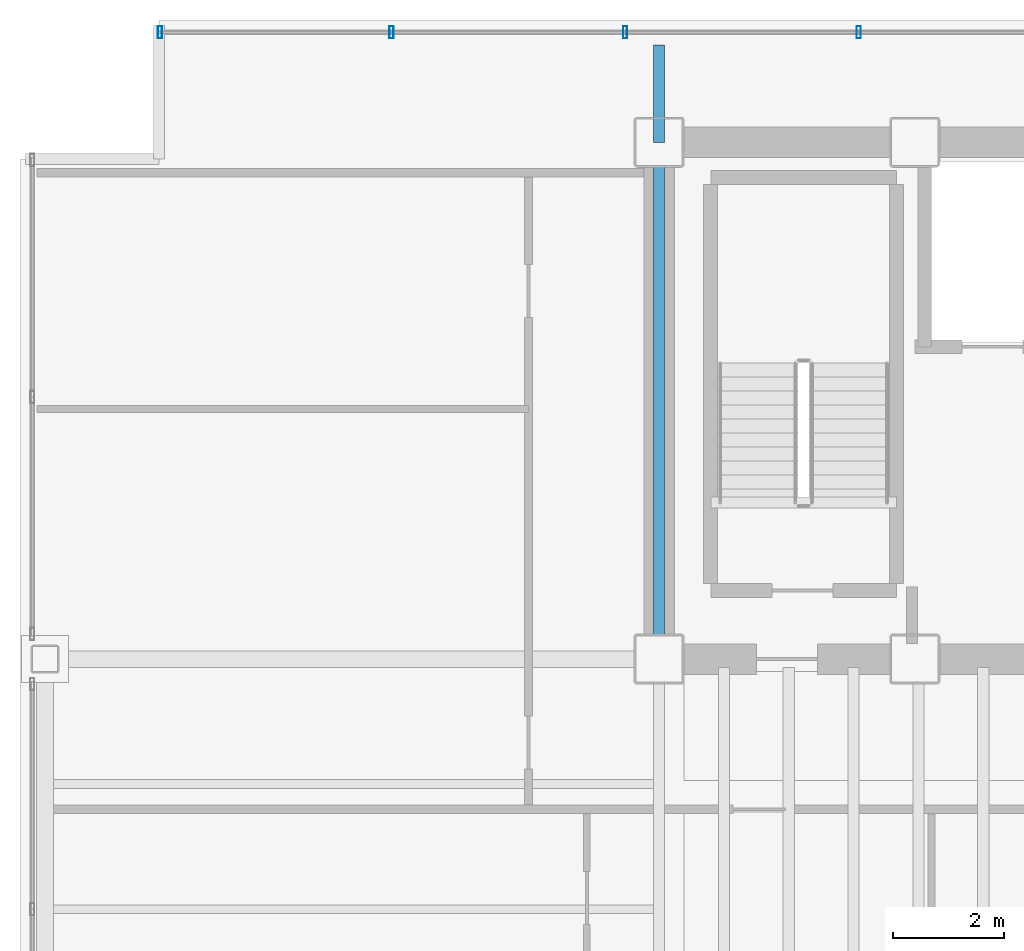
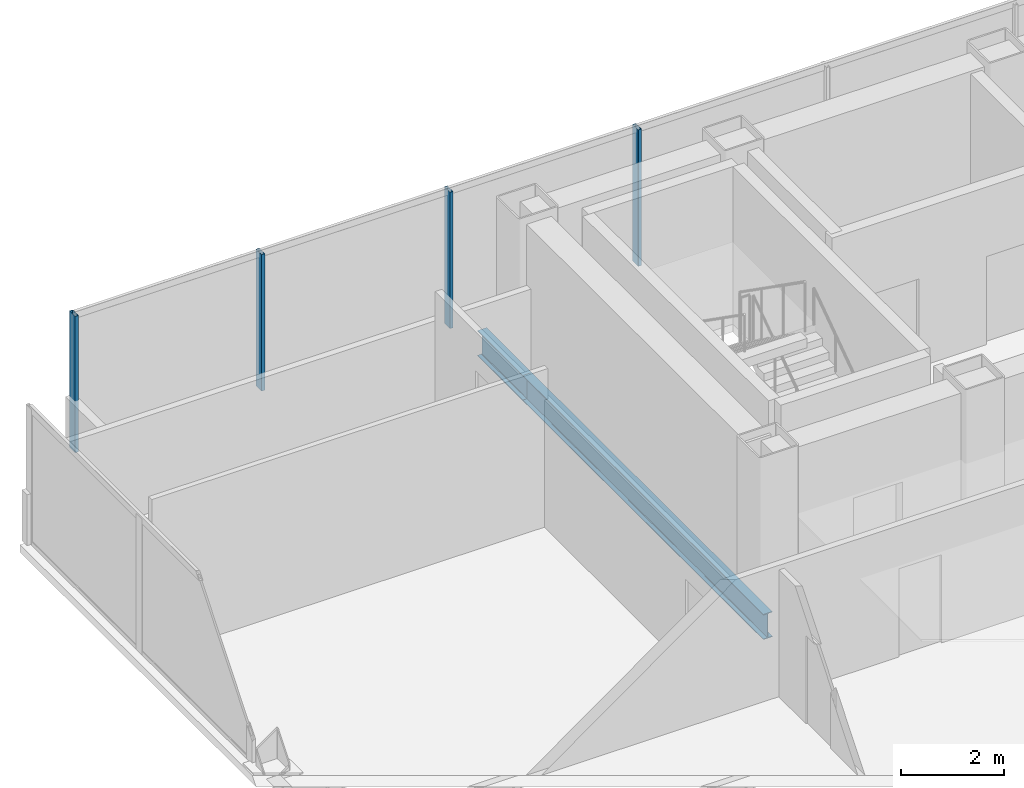
# One storey, part 9 of 22: 4 members, 2 beams, 1 element without a shape of its own.
"""IFC4 building model written with IfcOpenShell, lengths in metres."""

import ifcopenshell
import ifcopenshell.guid

model = None  # the IFC model being written
_history = None  # IfcOwnerHistory: only IFC2X3 demands one
_inside = {}  # id of a spatial element -> (the spatial element, [elements in it])
_under = {}  # id of a project, library or spatial element -> (it, [spatial elements below it])
_declared = {}  # id of a project -> (the project, [libraries it declares])
_typed = {}  # id of a type object -> (the type object, [elements of that type])
_made_of = {}  # id of a material, layer set ... -> (it, [elements and type objects made of it])


def new_model(schema):
    """Start an empty IFC model of exactly this schema.

    Asked for "IFC4X3", IfcOpenShell would pick the latest addendum, in which some entities
    have other attributes; the version numbers below select the first issue.
    IFC2X3 requires an IfcOwnerHistory on every rooted entity: one is made here for all.
    """
    global model, _history
    if schema == "IFC4X3":
        model = ifcopenshell.file(schema_version=(4, 3, 0, 0))
    else:
        model = ifcopenshell.file(schema=schema)
    _inside.clear()
    _under.clear()
    _declared.clear()
    _typed.clear()
    _made_of.clear()
    _history = None
    if model.schema == "IFC2X3":
        org = make("IfcOrganization", Name="unknown")
        user = make(
            "IfcPersonAndOrganization",
            ThePerson=make("IfcPerson", FamilyName="unknown"),
            TheOrganization=org,
        )
        app = make(
            "IfcApplication",
            ApplicationDeveloper=org,
            Version="unknown",
            ApplicationFullName="unknown",
            ApplicationIdentifier="unknown",
        )
        _history = make(
            "IfcOwnerHistory",
            OwningUser=user,
            OwningApplication=app,
            ChangeAction="ADDED",
            CreationDate=0,
        )
    return model


def make(cls, **values):
    """One entity of the class cls with the attributes given. An attribute that is None is left unset."""
    return model.create_entity(
        cls, **{name: value for name, value in values.items() if value is not None}
    )


def rooted(cls, **values):
    """An entity with a GlobalId (a new one), such as an element, a storey or a relation."""
    return make(cls, GlobalId=ifcopenshell.guid.new(), OwnerHistory=_history, **values)


def si_unit(unit_type, name, prefix=None):
    """IfcSIUnit, for example si_unit("LENGTHUNIT", "METRE", prefix="MILLI")."""
    return make("IfcSIUnit", UnitType=unit_type, Prefix=prefix, Name=name)


def assignment(units):
    """IfcUnitAssignment: the units of a project."""
    return None if units is None else make("IfcUnitAssignment", Units=units)


def point(xyz):
    """IfcCartesianPoint."""
    return None if xyz is None else make("IfcCartesianPoint", Coordinates=xyz)


def direction(xyz):
    """IfcDirection."""
    return None if xyz is None else make("IfcDirection", DirectionRatios=xyz)


def frame(location, z_axis=None, x_axis=None):
    """IfcAxis2Placement3D, a coordinate frame: its origin and axes. An axis left out is left unset."""
    return make(
        "IfcAxis2Placement3D",
        Location=point(location),
        Axis=direction(z_axis),
        RefDirection=direction(x_axis),
    )


def frame_2d(location, x_axis=None):
    """IfcAxis2Placement2D, a coordinate frame in the plane: its origin and x axis."""
    return make(
        "IfcAxis2Placement2D", Location=point(location), RefDirection=direction(x_axis)
    )


def origin():
    """The frame at (0, 0, 0) with its axes left unset."""
    return frame((0.0, 0.0, 0.0))


def origin_2d():
    """The frame at (0, 0) in the plane with its x axis left unset."""
    return frame_2d((0.0, 0.0))


def place(relative_to, where):
    """IfcLocalPlacement: puts the frame where relative to a parent placement (None: the world)."""
    return make(
        "IfcLocalPlacement", PlacementRelTo=relative_to, RelativePlacement=where
    )


def context(
    kind, dimensions, precision=None, world=None, true_north=None, identifier=None
):
    """IfcGeometricRepresentationContext, for example the 3D "Model" context."""
    return make(
        "IfcGeometricRepresentationContext",
        ContextIdentifier=identifier,
        ContextType=kind,
        CoordinateSpaceDimension=dimensions,
        Precision=precision,
        WorldCoordinateSystem=world,
        TrueNorth=true_north,
    )


def subcontext(parent, identifier, kind, view, scale=None):
    """IfcGeometricRepresentationSubContext, for example "Body" below "Model"."""
    return make(
        "IfcGeometricRepresentationSubContext",
        ContextIdentifier=identifier,
        ContextType=kind,
        ParentContext=parent,
        TargetScale=scale,
        TargetView=view,
    )


def project(units=None, contexts=None):
    """IfcProject with its units and contexts."""
    return rooted(
        "IfcProject",
        Name="project",
        RepresentationContexts=contexts,
        UnitsInContext=assignment(units),
    )


def spatial(cls, under=None, at=None, **own):
    """A site, building, storey or space (cls), placed at a placement, below another one or the project."""
    s = rooted(cls, ObjectPlacement=at, **own)
    if under is not None:
        _under.setdefault(under.id(), (under, []))[1].append(s)
    return s


def profile(cls, at=None, kind="AREA", **sizes):
    """A parametric profile (cls). Its sizes go by their IFC names, for example OverallWidth=200.0."""
    return make(cls, ProfileType=kind, Position=at, **sizes)


def hollow_rectangle(**sizes):
    """IfcRectangleHollowProfileDef."""
    return profile("IfcRectangleHollowProfileDef", **sizes)


def i_section(**sizes):
    """IfcIShapeProfileDef."""
    return profile("IfcIShapeProfileDef", **sizes)


def extrude(swept, where, along, depth):
    """IfcExtrudedAreaSolid: the profile swept, set in the frame where, extruded along a direction by depth."""
    return make(
        "IfcExtrudedAreaSolid",
        SweptArea=swept,
        Position=where,
        ExtrudedDirection=direction(along),
        Depth=depth,
    )


def shape(context_of_items, identifier, shape_type, items):
    """IfcShapeRepresentation: the items that make up one representation, for example the "Body"."""
    return make(
        "IfcShapeRepresentation",
        ContextOfItems=context_of_items,
        RepresentationIdentifier=identifier,
        RepresentationType=shape_type,
        Items=items,
    )


def material(Name=None, Category=None):
    """IfcMaterial."""
    return make("IfcMaterial", Name=Name, Category=Category)


def material_profile(
    of_material, cross_section, Name=None, Category=None, Priority=None
):
    """IfcMaterialProfile: a cross section and its material."""
    return make(
        "IfcMaterialProfile",
        Name=Name,
        Material=of_material,
        Profile=cross_section,
        Priority=Priority,
        Category=Category,
    )


def profile_set(profiles, Name=None, composite=None):
    """IfcMaterialProfileSet."""
    return make(
        "IfcMaterialProfileSet",
        Name=Name,
        MaterialProfiles=profiles,
        CompositeProfile=composite,
    )


def made_of(thing, what):
    """Note that an element or type object is made of a material, layer set ...; save() writes the relation."""
    if what is not None:
        _made_of.setdefault(what.id(), (what, []))[1].append(thing)
    return thing


def type_object(cls, material=None, **own):
    """A type object (cls), such as IfcWallType, which elements share."""
    return made_of(rooted(cls, **own), material)


def element(
    cls,
    number,
    at=None,
    inside=None,
    cuts=None,
    type_object=None,
    material=None,
    context=None,
    identifier="Body",
    shape_type=None,
    held_by="IfcProductDefinitionShape",
    body=None,
    shapes=None,
    **own,
):
    """One element of the class cls, such as IfcWall. Its Tag is "e" and its number.

    at: its placement. inside: the storey or other place that contains it. cuts: it is an
    opening in that element (IfcRelVoidsElement). A single representation is given by context,
    identifier, shape_type and body (its items); several are given by shapes. held_by: the class
    of the entity that holds the representations. save() writes the other relations.
    """
    e = rooted(cls, Tag="e%d" % number, ObjectPlacement=at, **own)
    if body is not None:
        shapes = [shape(context, identifier, shape_type, body)]
    if shapes is not None:
        e.Representation = make(held_by, Representations=shapes)
    if inside is not None:
        _inside.setdefault(inside.id(), (inside, []))[1].append(e)
    if cuts is not None:
        rooted(
            "IfcRelVoidsElement", RelatingBuildingElement=cuts, RelatedOpeningElement=e
        )
    if type_object is not None:
        _typed.setdefault(type_object.id(), (type_object, []))[1].append(e)
    return made_of(e, material)


def aggregate(whole, parts):
    """IfcRelAggregates: a whole, such as a stair, and the parts it consists of."""
    return rooted("IfcRelAggregates", RelatingObject=whole, RelatedObjects=parts)


def save(model, path):
    """Write the relations noted so far, then the file.

    IfcRelAggregates (storeys below a building ...), IfcRelContainedInSpatialStructure (elements
    in a storey), IfcRelDefinesByType, IfcRelAssociatesMaterial and IfcRelDeclares: one each for
    every whole, place, type object, material and project.
    """
    for whole, parts in _under.values():
        aggregate(whole, parts)
    for where, things in _inside.values():
        rooted(
            "IfcRelContainedInSpatialStructure",
            RelatedElements=things,
            RelatingStructure=where,
        )
    for kind, things in _typed.values():
        rooted("IfcRelDefinesByType", RelatedObjects=things, RelatingType=kind)
    for what, things in _made_of.values():
        rooted("IfcRelAssociatesMaterial", RelatedObjects=things, RelatingMaterial=what)
    for by, libraries in _declared.values():
        rooted("IfcRelDeclares", RelatingContext=by, RelatedDefinitions=libraries)
    model.write(path)


model = new_model("IFC4")

# Units and contexts
model_context = context("Model", 3, precision=1e-05, world=origin(), true_north=direction((0.0, 1.0)))
body_context = subcontext(model_context, "Body", "Model", "MODEL_VIEW")
ifc_project = project(units=[si_unit("LENGTHUNIT", "METRE"), si_unit("AREAUNIT", "SQUARE_METRE"), si_unit("VOLUMEUNIT", "CUBIC_METRE"), si_unit("PLANEANGLEUNIT", "RADIAN"), si_unit("MASSUNIT", "GRAM", prefix="KILO")], contexts=[model_context])

# Site, building, storey
site_placement = place(None, origin())
site = spatial("IfcSite", under=ifc_project, at=site_placement, CompositionType="ELEMENT")
building_placement = place(site_placement, origin())
building = spatial("IfcBuilding", under=site, at=building_placement, Name="Noeulbin Bourse Tower", CompositionType="ELEMENT")
storey_placement = place(building_placement, frame((0.0, 0.0, 134.39990234375)))
storey = spatial("IfcBuildingStorey", under=building, at=storey_placement, Name="L33", CompositionType="ELEMENT", Elevation=134.39990234375)

# Beams
ifc_material_1 = material(Name="Steel S355", Category="steel")
ifc_material_profile_1 = material_profile(ifc_material_1, i_section(OverallWidth=0.199951171875, OverallDepth=0.60009765625, WebThickness=0.010986328125, FlangeThickness=0.01708984375, FilletRadius=0.02197265625, at=origin_2d()), Name="H-600x200x11x17", Category="LoadBearing")
ifc_profile_set_1 = profile_set([ifc_material_profile_1], Name="Steel S355")
beam_type = type_object("IfcBeamType", Name="BM-GRD-600", PredefinedType="USERDEFINED", material=ifc_profile_set_1)
beam_1_placement = place(storey_placement, frame((13.5, 29.0, -0.47998046875), z_axis=(0.0, 1.0, 0.0), x_axis=(-1.0, 0.0, 0.0)))
element("IfcBeam", 1, at=beam_1_placement, inside=storey, type_object=beam_type, Name="Tower Primary Girder NS L33-1.3", ObjectType="GIRDER", PredefinedType="USERDEFINED", context=body_context, shape_type="SweptSolid", body=[
    extrude(i_section(OverallWidth=0.199951171875, OverallDepth=0.60009765625, WebThickness=0.010986328125, FlangeThickness=0.01708984375, FilletRadius=0.02197265625, at=origin_2d()), origin(), (0.0, 0.0, 1.0), 9.300048828125),
])
beam_2_placement = place(storey_placement, frame((13.5, 38.300048828125, -0.47998046875), z_axis=(0.0, 1.0, 0.0), x_axis=(-1.0, 0.0, 0.0)))
element("IfcBeam", 2, at=beam_2_placement, inside=storey, type_object=beam_type, Name="Tower Primary Girder NS L33-1.4", ObjectType="GIRDER", PredefinedType="USERDEFINED", context=body_context, shape_type="SweptSolid", body=[
    extrude(i_section(OverallWidth=0.199951171875, OverallDepth=0.60009765625, WebThickness=0.010986328125, FlangeThickness=0.01708984375, FilletRadius=0.02197265625, at=origin_2d()), origin(), (0.0, 0.0, 1.0), 1.75),
])

# Curtain wall, members
ifc_material_2 = material(Name="Dark Tinted Triple Glazing", Category="glass")
curtain_wall_type = type_object("IfcCurtainWallType", Name="CW-SYS-3", PredefinedType="NOTDEFINED", material=ifc_material_2)
curtain_wall_placement = place(storey_placement, origin())
curtain_wall = element("IfcCurtainWall", 3, at=curtain_wall_placement, inside=storey, type_object=curtain_wall_type, Name="Unitised Curtain Wall CW-L33-N", PredefinedType="NOTDEFINED")
ifc_material_3 = material(Name="Anodised Aluminium 6063-T6", Category="aluminium")
ifc_material_profile_2 = material_profile(ifc_material_3, hollow_rectangle(XDim=0.074951171875, YDim=0.219970703125, WallThickness=0.0048828125, InnerFilletRadius=0.00244140625, OuterFilletRadius=0.0048828125, at=origin_2d()), Name="ALU-MULL-75x220x5", Category="LoadBearing")
ifc_profile_set_2 = profile_set([ifc_material_profile_2], Name="Anodised Aluminium 6063-T6")
member_type = type_object("IfcMemberType", Name="CW-SYS-3-MUL", PredefinedType="MULLION", material=ifc_profile_set_2)
member_1_placement = place(storey_placement, frame((4.52001953125, 40.280029296875, -0.02001953125), z_axis=(0.0, 0.0, 1.0), x_axis=(1.0, 0.0, 0.0)))
member_1 = element("IfcMember", 4, at=member_1_placement, type_object=member_type, Name="Curtain Wall Mullion CW-L33-N-M00", PredefinedType="MULLION", context=body_context, shape_type="SweptSolid", body=[
    extrude(hollow_rectangle(XDim=0.074951171875, YDim=0.219970703125, WallThickness=0.0048828125, InnerFilletRadius=0.00244140625, OuterFilletRadius=0.0048828125, at=origin_2d()), origin(), (0.0, 0.0, 1.0), 3.22021484375),
])
member_2_placement = place(storey_placement, frame((8.68408203125, 40.280029296875, -0.02001953125), z_axis=(0.0, 0.0, 1.0), x_axis=(1.0, 0.0, 0.0)))
member_2 = element("IfcMember", 5, at=member_2_placement, type_object=member_type, Name="Curtain Wall Mullion CW-L33-N-M01", PredefinedType="MULLION", context=body_context, shape_type="SweptSolid", body=[
    extrude(hollow_rectangle(XDim=0.074951171875, YDim=0.219970703125, WallThickness=0.0048828125, InnerFilletRadius=0.00244140625, OuterFilletRadius=0.0048828125, at=origin_2d()), origin(), (0.0, 0.0, 1.0), 3.22021484375),
])
member_3_placement = place(storey_placement, frame((12.887939453125, 40.280029296875, -0.02001953125), z_axis=(0.0, 0.0, 1.0), x_axis=(1.0, 0.0, 0.0)))
member_3 = element("IfcMember", 6, at=member_3_placement, type_object=member_type, Name="Curtain Wall Mullion CW-L33-N-M02", PredefinedType="MULLION", context=body_context, shape_type="SweptSolid", body=[
    extrude(hollow_rectangle(XDim=0.074951171875, YDim=0.219970703125, WallThickness=0.0048828125, InnerFilletRadius=0.00244140625, OuterFilletRadius=0.0048828125, at=origin_2d()), origin(), (0.0, 0.0, 1.0), 3.22021484375),
])
member_4_placement = place(storey_placement, frame((17.092041015625, 40.280029296875, -0.02001953125), z_axis=(0.0, 0.0, 1.0), x_axis=(1.0, 0.0, 0.0)))
member_4 = element("IfcMember", 7, at=member_4_placement, type_object=member_type, Name="Curtain Wall Mullion CW-L33-N-M03", PredefinedType="MULLION", context=body_context, shape_type="SweptSolid", body=[
    extrude(hollow_rectangle(XDim=0.074951171875, YDim=0.219970703125, WallThickness=0.0048828125, InnerFilletRadius=0.00244140625, OuterFilletRadius=0.0048828125, at=origin_2d()), origin(), (0.0, 0.0, 1.0), 3.22021484375),
])
aggregate(curtain_wall, [member_1, member_2, member_3, member_4])

save(model, "model.ifc")
